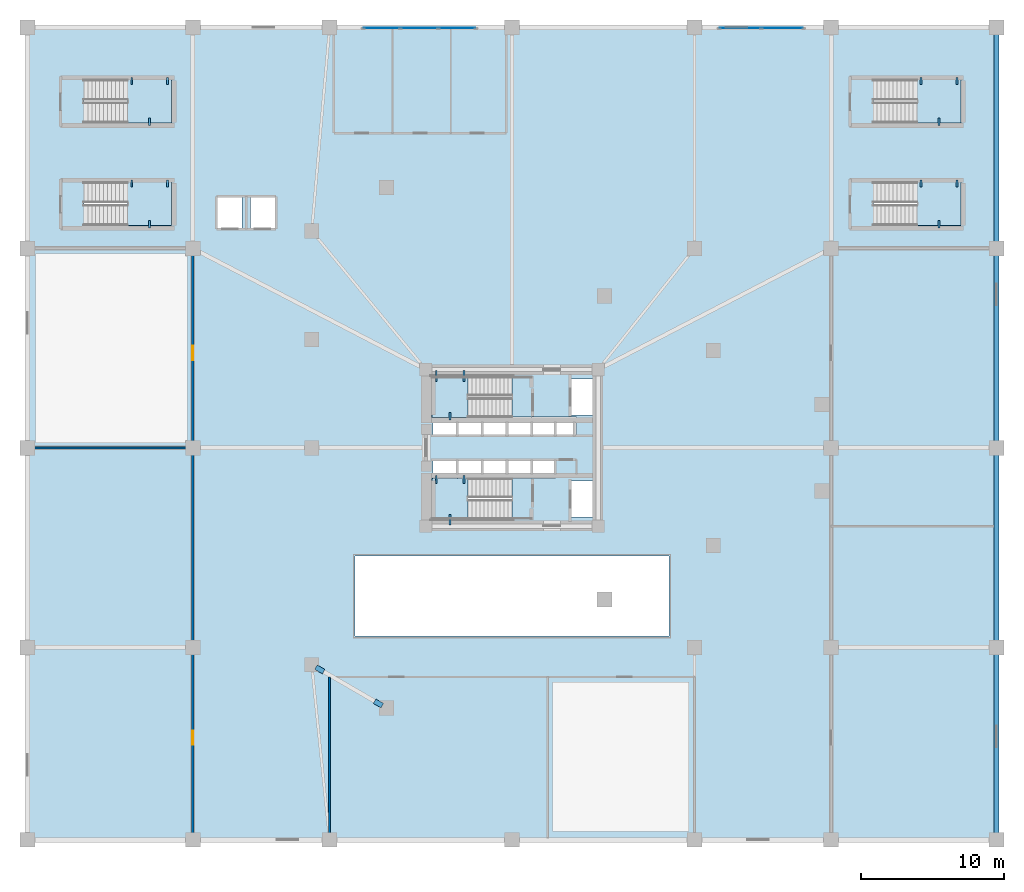
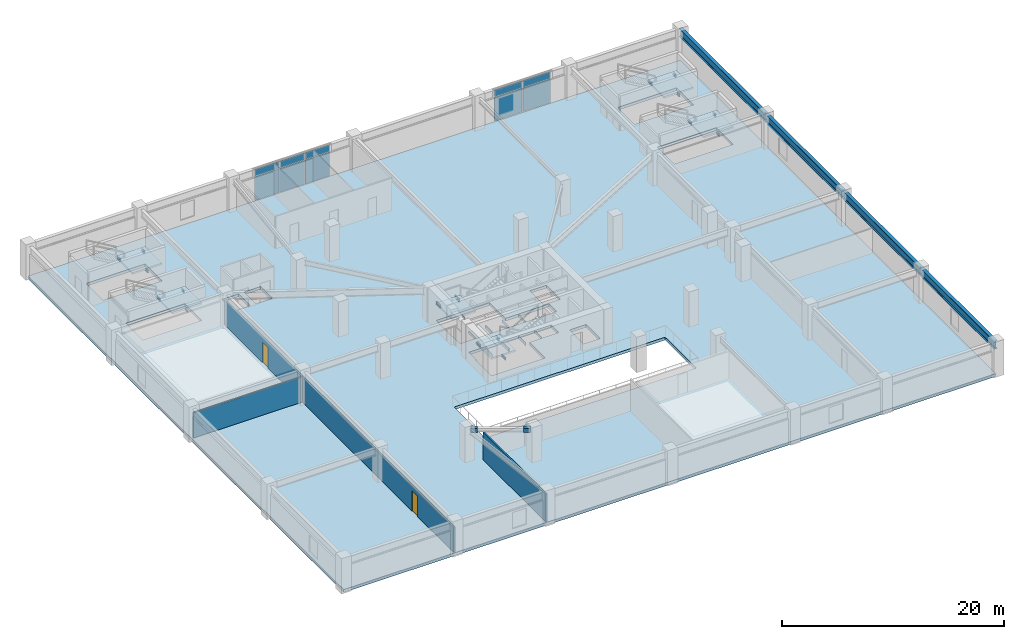
# One storey, part 3 of 15: 22 beams, 12 plates, 7 slabs, 3 walls, 2 doors, 2 openings, 8 elements without a shape of their own.
"""IFC4 building model written with IfcOpenShell, lengths in metres."""

from ifc_helpers import new_model, si_unit, direction, frame, frame_2d, origin, origin_2d, place, context, subcontext, project, spatial, polyline, rectangle, i_section, outline, extrude, source, transform, mapped, material, layer, layer_set, material_profile, profile_set, type_object, element, fill, aggregate, save


model = new_model("IFC4")

# Units and contexts
model_context = context("Model", 3, precision=1e-05, world=origin(), true_north=direction((0.0, 1.0)))
body_context = subcontext(model_context, "Body", "Model", "MODEL_VIEW")
ifc_project = project(units=[si_unit("LENGTHUNIT", "METRE"), si_unit("AREAUNIT", "SQUARE_METRE"), si_unit("VOLUMEUNIT", "CUBIC_METRE"), si_unit("PLANEANGLEUNIT", "RADIAN"), si_unit("MASSUNIT", "GRAM", prefix="KILO")], contexts=[model_context])

# Site, building, storey
site_placement = place(None, origin())
site = spatial("IfcSite", under=ifc_project, at=site_placement, CompositionType="ELEMENT")
building_placement = place(site_placement, origin())
building = spatial("IfcBuilding", under=site, at=building_placement, Name="Yunling Apex Tower", CompositionType="ELEMENT")
storey_placement = place(building_placement, frame((0.0, 0.0, 8.39990234375)))
storey = spatial("IfcBuildingStorey", under=building, at=storey_placement, Name="L03", CompositionType="ELEMENT", Elevation=8.39990234375)

# Beams
ifc_material_1 = material(Name="Steel Q355B", Category="steel")
ifc_material_profile_1 = material_profile(ifc_material_1, i_section(OverallWidth=0.125, OverallDepth=0.25, WebThickness=0.006103515625, FlangeThickness=0.009033203125, FilletRadius=0.011962890625, at=origin_2d()))
ifc_profile_set_1 = profile_set([ifc_material_profile_1], Name="Steel Q355B")
beam_type_1 = type_object("IfcBeamType", Name="BL-LNT-1", PredefinedType="LINTEL", material=ifc_profile_set_1)
shared_shape_1 = source(origin(), body_context, "Body", "SweptSolid", [
    extrude(i_section(OverallWidth=0.125, OverallDepth=0.25, WebThickness=0.006103515625, FlangeThickness=0.009033203125, FilletRadius=0.011962890625, at=origin_2d()), origin(), (0.0, 0.0, 1.0), 0.760009765625),
])
for number, where, z_axis, x_axis, name in (
    (1, (-5.320068359375, 5.419921875, 1.630126953125), (0.0, -1.0, 0.0), (1.0, 0.0, 0.0), "L03 ST-1 Landing Bearing Corbel 1-1"),
    (2, (-3.3701171875, 5.419921875, 1.630126953125), (0.0, -1.0, 0.0), (1.0, 0.0, 0.0), "L03 ST-1 Landing Bearing Corbel 1-2"),
    (3, (-4.344970703125, -5.419921875, 1.630126953125), (0.0, 1.0, 0.0), (-1.0, 0.0, 0.0), "L03 ST-2 Landing Bearing Corbel 1-3"),
):
    element("IfcBeam", number, at=place(storey_placement, frame(where, z_axis=z_axis, x_axis=x_axis)), inside=storey, type_object=beam_type_1, Name=name, PredefinedType="LINTEL", context=body_context, shape_type="MappedRepresentation", body=[
        mapped(shared_shape_1, transform((0.0, 0.0, 0.0), scale=1.0)),
    ])
shared_shape_2 = source(origin(), body_context, "Body", "SweptSolid", [
    extrude(i_section(OverallWidth=0.125, OverallDepth=0.25, WebThickness=0.006103515625, FlangeThickness=0.009033203125, FilletRadius=0.011962890625, at=origin_2d()), origin(), (0.0, 0.0, 1.0), 0.550048828125),
])
for number, where, z_axis, x_axis, name in (
    (4, (-4.344970703125, 1.93994140625, 1.630126953125), (0.0, 1.0, 0.0), (-1.0, 0.0, 0.0), "L03 ST-1 Landing Bearing Corbel 1-3"),
    (5, (-5.320068359375, -1.93994140625, 1.630126953125), (0.0, -1.0, 0.0), (1.0, 0.0, 0.0), "L03 ST-2 Landing Bearing Corbel 1-1"),
    (6, (-3.3701171875, -1.93994140625, 1.630126953125), (0.0, -1.0, 0.0), (1.0, 0.0, 0.0), "L03 ST-2 Landing Bearing Corbel 1-2"),
):
    element("IfcBeam", number, at=place(storey_placement, frame(where, z_axis=z_axis, x_axis=x_axis)), inside=storey, type_object=beam_type_1, Name=name, PredefinedType="LINTEL", context=body_context, shape_type="MappedRepresentation", body=[
        mapped(shared_shape_2, transform((0.0, 0.0, 0.0), scale=1.0)),
    ])
shared_shape_3 = source(origin(), body_context, "Body", "SweptSolid", [
    extrude(i_section(OverallWidth=0.125, OverallDepth=0.25, WebThickness=0.006103515625, FlangeThickness=0.009033203125, FilletRadius=0.011962890625, at=origin_2d()), origin(), (0.0, 0.0, 1.0), 0.47998046875),
])
for number, where, z_axis, x_axis, name in (
    (7, (-26.68994140625, 18.780029296875, 1.630126953125), (0.0, -1.0, 0.0), (1.0, 0.0, 0.0), "L03 ST-P1 Landing Bearing Corbel 1-1"),
    (8, (-24.179931640625, 18.780029296875, 1.630126953125), (0.0, -1.0, 0.0), (1.0, 0.0, 0.0), "L03 ST-P1 Landing Bearing Corbel 1-2"),
    (9, (28.7099609375, 18.780029296875, 1.630126953125), (0.0, -1.0, 0.0), (1.0, 0.0, 0.0), "L03 ST-P2 Landing Bearing Corbel 1-1"),
    (10, (31.219970703125, 18.780029296875, 1.630126953125), (0.0, -1.0, 0.0), (1.0, 0.0, 0.0), "L03 ST-P2 Landing Bearing Corbel 1-2"),
    (11, (-26.68994140625, 25.97998046875, 1.630126953125), (0.0, -1.0, 0.0), (1.0, 0.0, 0.0), "L03 ST-G1 Landing Bearing Corbel 1-1"),
    (12, (-24.179931640625, 25.97998046875, 1.630126953125), (0.0, -1.0, 0.0), (1.0, 0.0, 0.0), "L03 ST-G1 Landing Bearing Corbel 1-2"),
    (13, (28.7099609375, 25.97998046875, 1.630126953125), (0.0, -1.0, 0.0), (1.0, 0.0, 0.0), "L03 ST-G2 Landing Bearing Corbel 1-1"),
    (14, (31.219970703125, 25.97998046875, 1.630126953125), (0.0, -1.0, 0.0), (1.0, 0.0, 0.0), "L03 ST-G2 Landing Bearing Corbel 1-2"),
):
    element("IfcBeam", number, at=place(storey_placement, frame(where, z_axis=z_axis, x_axis=x_axis)), inside=storey, type_object=beam_type_1, Name=name, PredefinedType="LINTEL", context=body_context, shape_type="MappedRepresentation", body=[
        mapped(shared_shape_3, transform((0.0, 0.0, 0.0), scale=1.0)),
    ])
shared_shape_4 = source(origin(), body_context, "Body", "SweptSolid", [
    extrude(i_section(OverallWidth=0.125, OverallDepth=0.25, WebThickness=0.006103515625, FlangeThickness=0.009033203125, FilletRadius=0.011962890625, at=origin_2d()), origin(), (0.0, 0.0, 1.0), 0.530029296875),
])
for number, where, z_axis, x_axis, name in (
    (15, (-25.43505859375, 15.419921875, 1.630126953125), (0.0, 1.0, 0.0), (-1.0, 0.0, 0.0), "L03 ST-P1 Landing Bearing Corbel 1-3"),
    (16, (29.965087890625, 15.419921875, 1.630126953125), (0.0, 1.0, 0.0), (-1.0, 0.0, 0.0), "L03 ST-P2 Landing Bearing Corbel 1-3"),
):
    element("IfcBeam", number, at=place(storey_placement, frame(where, z_axis=z_axis, x_axis=x_axis)), inside=storey, type_object=beam_type_1, Name=name, PredefinedType="LINTEL", context=body_context, shape_type="MappedRepresentation", body=[
        mapped(shared_shape_4, transform((0.0, 0.0, 0.0), scale=1.0)),
    ])
shared_shape_5 = source(origin(), body_context, "Body", "SweptSolid", [
    extrude(i_section(OverallWidth=0.125, OverallDepth=0.25, WebThickness=0.006103515625, FlangeThickness=0.009033203125, FilletRadius=0.011962890625, at=origin_2d()), origin(), (0.0, 0.0, 1.0), 0.52978515625),
])
for number, where, z_axis, x_axis, name in (
    (17, (-25.43505859375, 22.6201171875, 1.630126953125), (0.0, 1.0, 0.0), (-1.0, 0.0, 0.0), "L03 ST-G1 Landing Bearing Corbel 1-3"),
    (18, (29.965087890625, 22.6201171875, 1.630126953125), (0.0, 1.0, 0.0), (-1.0, 0.0, 0.0), "L03 ST-G2 Landing Bearing Corbel 1-3"),
):
    element("IfcBeam", number, at=place(storey_placement, frame(where, z_axis=z_axis, x_axis=x_axis)), inside=storey, type_object=beam_type_1, Name=name, PredefinedType="LINTEL", context=body_context, shape_type="MappedRepresentation", body=[
        mapped(shared_shape_5, transform((0.0, 0.0, 0.0), scale=1.0)),
    ])
ifc_material_profile_2 = material_profile(ifc_material_1, i_section(OverallWidth=0.35009765625, OverallDepth=0.89990234375, WebThickness=0.01806640625, FlangeThickness=0.028076171875, FilletRadius=0.02392578125, at=origin_2d()))
ifc_profile_set_2 = profile_set([ifc_material_profile_2], Name="Steel Q355B")
beam_type_2 = type_object("IfcBeamType", Name="BG-PRI-1", PredefinedType="USERDEFINED", material=ifc_profile_set_2)
shared_shape_6 = source(origin(), body_context, "Body", "SweptSolid", [
    extrude(i_section(OverallWidth=0.35009765625, OverallDepth=0.89990234375, WebThickness=0.01806640625, FlangeThickness=0.028076171875, FilletRadius=0.02392578125, at=origin_2d()), origin(), (0.0, 0.0, 1.0), 13.419921875),
])
beam_1_placement = place(storey_placement, frame((34.0, -27.4599609375, 3.14013671875), z_axis=(0.0, 1.0, 0.0), x_axis=(-1.0, 0.0, 0.0)))
element("IfcBeam", 19, at=beam_1_placement, inside=storey, type_object=beam_type_2, Name="L03 Podium Side Girder 17", ObjectType="GIRDER", PredefinedType="USERDEFINED", context=body_context, shape_type="MappedRepresentation", body=[
    mapped(shared_shape_6, transform((0.0, 0.0, 0.0), scale=1.0)),
])
shared_shape_7 = source(origin(), body_context, "Body", "SweptSolid", [
    extrude(i_section(OverallWidth=0.35009765625, OverallDepth=0.89990234375, WebThickness=0.01806640625, FlangeThickness=0.028076171875, FilletRadius=0.02392578125, at=origin_2d()), origin(), (0.0, 0.0, 1.0), 13.919921875),
])
for number, where, z_axis, x_axis, name in (
    (20, (34.0, -13.9599609375, 3.14013671875), (0.0, 1.0, 0.0), (-1.0, 0.0, 0.0), "L03 Podium Side Girder 18"),
    (21, (34.0, 0.0400390625, 3.14013671875), (0.0, 1.0, 0.0), (-1.0, 0.0, 0.0), "L03 Podium Side Girder 19"),
):
    element("IfcBeam", number, at=place(storey_placement, frame(where, z_axis=z_axis, x_axis=x_axis)), inside=storey, type_object=beam_type_2, Name=name, ObjectType="GIRDER", PredefinedType="USERDEFINED", context=body_context, shape_type="MappedRepresentation", body=[
        mapped(shared_shape_7, transform((0.0, 0.0, 0.0), scale=1.0)),
    ])
shared_shape_8 = source(origin(), body_context, "Body", "SweptSolid", [
    extrude(i_section(OverallWidth=0.35009765625, OverallDepth=0.89990234375, WebThickness=0.01806640625, FlangeThickness=0.028076171875, FilletRadius=0.02392578125, at=origin_2d()), origin(), (0.0, 0.0, 1.0), 15.419921875),
])
beam_2_placement = place(storey_placement, frame((34.0, 14.0400390625, 3.14013671875), z_axis=(0.0, 1.0, 0.0), x_axis=(-1.0, 0.0, 0.0)))
element("IfcBeam", 22, at=beam_2_placement, inside=storey, type_object=beam_type_2, Name="L03 Podium Side Girder 20", ObjectType="GIRDER", PredefinedType="USERDEFINED", context=body_context, shape_type="MappedRepresentation", body=[
    mapped(shared_shape_8, transform((0.0, 0.0, 0.0), scale=1.0)),
])

# Stair, slab
ifc_material_2 = material(Name="Concrete C40", Category="concrete")
stair_type_1 = type_object("IfcStairType", Name="ST-TWR-1", PredefinedType="HALF_TURN_STAIR", material=ifc_material_2)
stair_1_placement = place(storey_placement, origin())
stair_1 = element("IfcStair", 23, at=stair_1_placement, inside=storey, type_object=stair_type_1, Name="L03 North Core Smokeproof Exit Stair ST-1", PredefinedType="HALF_TURN_STAIR")
ifc_layer_1 = layer(ifc_material_2, 0.195068359375)
ifc_layer_set_1 = layer_set([ifc_layer_1], Name="Concrete C40")
slab_type_1 = type_object("IfcSlabType", Name="SL-LND-1", PredefinedType="LANDING", material=ifc_layer_set_1)
slab_1_placement = place(storey_placement, frame((0.0, 0.0, 1.755126953125)))
slab_1 = element("IfcSlab", 24, at=slab_1_placement, type_object=slab_type_1, Name="ST-1 landing 1", PredefinedType="LANDING", context=body_context, shape_type="SweptSolid", body=[
    extrude(outline(polyline([(-3.090087890625, 5.010009765625), (-5.60009765625, 5.010009765625), (-5.60009765625, 2.139892578125), (-3.090087890625, 2.139892578125), (-3.090087890625, 5.010009765625)])), origin(), (0.0, 0.0, 1.0), 0.195068359375),
])
aggregate(stair_1, [slab_1])

stair_2_placement = place(storey_placement, origin())
stair_2 = element("IfcStair", 25, at=stair_2_placement, inside=storey, type_object=stair_type_1, Name="L03 South Core Smokeproof Exit Stair ST-2", PredefinedType="HALF_TURN_STAIR")
slab_2_placement = place(storey_placement, frame((0.0, 0.0, 1.755126953125)))
slab_2 = element("IfcSlab", 26, at=slab_2_placement, type_object=slab_type_1, Name="ST-2 landing 1", PredefinedType="LANDING", context=body_context, shape_type="SweptSolid", body=[
    extrude(outline(polyline([(-3.090087890625, -2.139892578125), (-5.60009765625, -2.139892578125), (-5.60009765625, -5.010009765625), (-3.090087890625, -5.010009765625), (-3.090087890625, -2.139892578125)])), origin(), (0.0, 0.0, 1.0), 0.195068359375),
])
aggregate(stair_2, [slab_2])

stair_type_2 = type_object("IfcStairType", Name="ST-POD-1", PredefinedType="HALF_TURN_STAIR", material=ifc_material_2)
stair_3_placement = place(storey_placement, origin())
stair_3 = element("IfcStair", 27, at=stair_3_placement, inside=storey, type_object=stair_type_2, Name="L03 West Podium Smokeproof Stair ST-P1", PredefinedType="HALF_TURN_STAIR")
slab_3_placement = place(storey_placement, frame((0.0, 0.0, 1.755126953125)))
slab_3 = element("IfcSlab", 28, at=slab_3_placement, type_object=slab_type_1, Name="ST-P1 landing 1", PredefinedType="LANDING", context=body_context, shape_type="SweptSolid", body=[
    extrude(outline(polyline([(-26.969970703125, 15.60009765625), (-23.89990234375, 15.60009765625), (-23.89990234375, 18.64990234375), (-26.969970703125, 18.64990234375), (-26.969970703125, 15.60009765625)])), origin(), (0.0, 0.0, 1.0), 0.195068359375),
])
aggregate(stair_3, [slab_3])

stair_4_placement = place(storey_placement, origin())
stair_4 = element("IfcStair", 29, at=stair_4_placement, inside=storey, type_object=stair_type_2, Name="L03 East Podium Smokeproof Stair ST-P2", PredefinedType="HALF_TURN_STAIR")
slab_4_placement = place(storey_placement, frame((0.0, 0.0, 1.755126953125)))
slab_4 = element("IfcSlab", 30, at=slab_4_placement, type_object=slab_type_1, Name="ST-P2 landing 1", PredefinedType="LANDING", context=body_context, shape_type="SweptSolid", body=[
    extrude(outline(polyline([(28.429931640625, 15.60009765625), (31.5, 15.60009765625), (31.5, 18.64990234375), (28.429931640625, 18.64990234375), (28.429931640625, 15.60009765625)])), origin(), (0.0, 0.0, 1.0), 0.195068359375),
])
aggregate(stair_4, [slab_4])

stair_type_3 = type_object("IfcStairType", Name="ST-GDN-1", PredefinedType="STRAIGHT_RUN_STAIR", material=ifc_material_2)
stair_5_placement = place(storey_placement, origin())
stair_5 = element("IfcStair", 31, at=stair_5_placement, inside=storey, type_object=stair_type_3, Name="L03 West Plaza-to-Garden External Stair ST-G1", PredefinedType="HALF_TURN_STAIR")
slab_5_placement = place(storey_placement, frame((0.0, 0.0, 1.755126953125)))
slab_5 = element("IfcSlab", 32, at=slab_5_placement, type_object=slab_type_1, Name="ST-G1 landing 1", PredefinedType="LANDING", context=body_context, shape_type="SweptSolid", body=[
    extrude(outline(polyline([(-26.969970703125, 22.800048828125), (-23.89990234375, 22.800048828125), (-23.89990234375, 25.85009765625), (-26.969970703125, 25.85009765625), (-26.969970703125, 22.800048828125)])), origin(), (0.0, 0.0, 1.0), 0.195068359375),
])
aggregate(stair_5, [slab_5])

stair_6_placement = place(storey_placement, origin())
stair_6 = element("IfcStair", 33, at=stair_6_placement, inside=storey, type_object=stair_type_3, Name="L03 East Plaza-to-Garden External Stair ST-G2", PredefinedType="HALF_TURN_STAIR")
slab_6_placement = place(storey_placement, frame((0.0, 0.0, 1.755126953125)))
slab_6 = element("IfcSlab", 34, at=slab_6_placement, type_object=slab_type_1, Name="ST-G2 landing 1", PredefinedType="LANDING", context=body_context, shape_type="SweptSolid", body=[
    extrude(outline(polyline([(28.429931640625, 22.800048828125), (31.5, 22.800048828125), (31.5, 25.85009765625), (28.429931640625, 25.85009765625), (28.429931640625, 22.800048828125)])), origin(), (0.0, 0.0, 1.0), 0.195068359375),
])
aggregate(stair_6, [slab_6])

# Slab
ifc_layer_2 = layer(ifc_material_2, 0.31005859375)
ifc_layer_set_2 = layer_set([ifc_layer_2], Name="Concrete C40")
slab_type_2 = type_object("IfcSlabType", Name="SL-POD-2", PredefinedType="FLOOR", material=ifc_layer_set_2)
slab_7_placement = place(storey_placement, frame((0.0, 0.0, -0.309814453125)))
element("IfcSlab", 35, at=slab_7_placement, inside=storey, type_object=slab_type_2, Name="L03 Structural Floor Slab", PredefinedType="FLOOR", context=body_context, shape_type="SweptSolid", body=[
    extrude(outline(polyline([(-34.0, -27.5), (34.0, -27.5), (34.0, 29.5), (-34.0, 29.5), (-34.0, -27.5)]), holes=[polyline([(31.5, 15.60009765625), (25.35009765625, 15.60009765625), (25.35009765625, 18.64990234375), (31.5, 18.64990234375), (31.5, 15.60009765625)]), polyline([(31.5, 22.800048828125), (25.35009765625, 22.800048828125), (25.35009765625, 25.85009765625), (31.5, 25.85009765625), (31.5, 22.800048828125)]), polyline([(11.0, -7.60009765625), (11.0, -13.199951171875), (-11.0, -13.199951171875), (-11.0, -7.60009765625), (11.0, -7.60009765625)]), polyline([(5.81005859375, -2.320068359375), (5.81005859375, -4.840087890625), (4.090087890625, -4.840087890625), (4.090087890625, -2.320068359375), (5.81005859375, -2.320068359375)]), polyline([(5.81005859375, 4.840087890625), (5.81005859375, 2.320068359375), (4.090087890625, 2.320068359375), (4.090087890625, 4.840087890625), (5.81005859375, 4.840087890625)]), polyline([(4.534912109375, 0.794921875), (1.364990234375, 0.794921875), (1.364990234375, 2.1650390625), (4.534912109375, 2.1650390625), (4.534912109375, 0.794921875)]), polyline([(3.034912109375, -2.1650390625), (1.364990234375, -2.1650390625), (1.364990234375, -0.794921875), (3.034912109375, -0.794921875), (3.034912109375, -2.1650390625)]), polyline([(-5.60009765625, 5.010009765625), (-0.010009765625, 5.010009765625), (-0.010009765625, 2.1650390625), (1.3349609375, 2.1650390625), (1.3349609375, 0.794921875), (-0.3349609375, 0.794921875), (-0.3349609375, 2.139892578125), (-0.364990234375, 2.139892578125), (-0.364990234375, 0.794921875), (-2.034912109375, 0.794921875), (-2.034912109375, 2.139892578125), (-2.1650390625, 2.139892578125), (-2.1650390625, 0.794921875), (-3.8349609375, 0.794921875), (-3.8349609375, 2.139892578125), (-3.864990234375, 2.139892578125), (-3.864990234375, 0.794921875), (-5.534912109375, 0.794921875), (-5.534912109375, 2.139892578125), (-5.60009765625, 2.139892578125), (-5.60009765625, 5.010009765625)]), polyline([(-3.864990234375, -0.794921875), (-3.864990234375, -2.139892578125), (-3.8349609375, -2.139892578125), (-3.8349609375, -0.794921875), (-2.1650390625, -0.794921875), (-2.1650390625, -2.139892578125), (-2.034912109375, -2.139892578125), (-2.034912109375, -0.794921875), (-0.364990234375, -0.794921875), (-0.364990234375, -2.139892578125), (-0.3349609375, -2.139892578125), (-0.3349609375, -0.794921875), (1.3349609375, -0.794921875), (1.3349609375, -2.1650390625), (-0.010009765625, -2.1650390625), (-0.010009765625, -5.010009765625), (-5.60009765625, -5.010009765625), (-5.60009765625, -2.139892578125), (-5.534912109375, -2.139892578125), (-5.534912109375, -0.794921875), (-3.864990234375, -0.794921875)]), polyline([(-16.639892578125, 17.56005859375), (-16.639892578125, 15.43994140625), (-18.360107421875, 15.43994140625), (-18.360107421875, 17.56005859375), (-16.639892578125, 17.56005859375)]), polyline([(-18.93994140625, 15.43994140625), (-20.659912109375, 15.43994140625), (-20.659912109375, 17.56005859375), (-18.93994140625, 17.56005859375), (-18.93994140625, 15.43994140625)]), polyline([(-23.89990234375, 15.60009765625), (-30.050048828125, 15.60009765625), (-30.050048828125, 18.64990234375), (-23.89990234375, 18.64990234375), (-23.89990234375, 15.60009765625)]), polyline([(-23.89990234375, 22.800048828125), (-30.050048828125, 22.800048828125), (-30.050048828125, 25.85009765625), (-23.89990234375, 25.85009765625), (-23.89990234375, 22.800048828125)])]), origin(), (0.0, 0.0, 1.0), 0.309814453125),
])

# Plates
ifc_layer_3 = layer(ifc_material_1, 0.031982421875)
ifc_layer_set_3 = layer_set([ifc_layer_3], Name="Steel Q355B")
plate_type_1 = type_object("IfcPlateType", Name="NP-GUS-2", PredefinedType="USERDEFINED", material=ifc_layer_set_3)
shared_shape_9 = source(origin(), body_context, "Body", "SweptSolid", [
    extrude(rectangle(XDim=0.6201171875, YDim=0.360107421875, at=origin_2d()), origin(), (0.0, 0.0, 1.0), 0.47998046875),
])
for number, where, z_axis, x_axis, name in (
    (36, (-13.48779296875, -15.546142578125, 3.0), (0.0, 0.0, 1.0), (0.864976307593, -0.501812701416, 0.0), "L03 Atrium Tie Strut End Gusset Plate 436"),
    (37, (-9.372314453125, -17.933837890625, 3.0), (0.0, 0.0, 1.0), (0.864976307593, -0.501812701416, 0.0), "L03 Atrium Tie Strut End Gusset Plate 437"),
):
    element("IfcPlate", number, at=place(storey_placement, frame(where, z_axis=z_axis, x_axis=x_axis)), inside=storey, type_object=plate_type_1, Name=name, ObjectType="GUSSET_PLATE", PredefinedType="USERDEFINED", context=body_context, shape_type="MappedRepresentation", body=[
        mapped(shared_shape_9, transform((0.0, 0.0, 0.0), scale=1.0)),
    ])

# Curtain wall, plates
ifc_material_3 = material(Name="Bronze anodised aluminium", Category="aluminium")
ifc_layer_4 = layer(ifc_material_3, 0.280029296875)
ifc_layer_set_4 = layer_set([ifc_layer_4], Name="Bronze anodised aluminium")
curtain_wall_type = type_object("IfcCurtainWallType", Name="CW-SYS-1", PredefinedType="NOTDEFINED", material=ifc_layer_set_4)
curtain_wall_1_placement = place(storey_placement, origin())
curtain_wall_1 = element("IfcCurtainWall", 38, at=curtain_wall_1_placement, inside=storey, type_object=curtain_wall_type, Name="CW-POD-L03-1", PredefinedType="NOTDEFINED")
ifc_material_4 = material(Name="Bronze tinted low-E glass", Category="glass")
ifc_layer_5 = layer(ifc_material_4, 0.035888671875)
ifc_layer_set_5 = layer_set([ifc_layer_5], Name="Bronze tinted low-E glass")
plate_type_2 = type_object("IfcPlateType", Name="CW-PNL-1", PredefinedType="CURTAIN_PANEL", material=ifc_layer_set_5)
shared_shape_10 = source(origin(), body_context, "Body", "SweptSolid", [
    extrude(rectangle(XDim=2.548583984375, YDim=0.035888671875, at=origin_2d()), origin(), (0.0, 0.0, 1.0), 0.73193359375),
])
plate_1_placement = place(storey_placement, frame((-9.144287109375, 29.449951171875, 2.776611328125), z_axis=(0.0, 0.0, 1.0), x_axis=(1.0, 0.0, 0.0)))
plate_1 = element("IfcPlate", 39, at=plate_1_placement, type_object=plate_type_2, Name="CW-SYS-1 panel 1.2", PredefinedType="CURTAIN_PANEL", context=body_context, shape_type="MappedRepresentation", body=[
    mapped(shared_shape_10, transform((0.0, 0.0, 0.0), scale=1.0)),
])
plate_2_placement = place(storey_placement, frame((-3.855712890625, 29.449951171875, 2.776611328125), z_axis=(0.0, 0.0, 1.0), x_axis=(1.0, 0.0, 0.0)))
plate_2 = element("IfcPlate", 40, at=plate_2_placement, type_object=plate_type_2, Name="CW-SYS-1 panel 3.2", PredefinedType="CURTAIN_PANEL", context=body_context, shape_type="MappedRepresentation", body=[
    mapped(shared_shape_10, transform((0.0, 0.0, 0.0), scale=1.0)),
])
shared_shape_11 = source(origin(), body_context, "Body", "SweptSolid", [
    extrude(rectangle(XDim=2.59375, YDim=0.035888671875, at=origin_2d()), origin(), (0.0, 0.0, 1.0), 0.73193359375),
])
plate_3_placement = place(storey_placement, frame((-6.5, 29.449951171875, 2.776611328125), z_axis=(0.0, 0.0, 1.0), x_axis=(1.0, 0.0, 0.0)))
plate_3 = element("IfcPlate", 41, at=plate_3_placement, type_object=plate_type_2, Name="CW-SYS-1 panel 2.2", PredefinedType="CURTAIN_PANEL", context=body_context, shape_type="MappedRepresentation", body=[
    mapped(shared_shape_11, transform((0.0, 0.0, 0.0), scale=1.0)),
])

curtain_wall_2_placement = place(storey_placement, origin())
curtain_wall_2 = element("IfcCurtainWall", 42, at=curtain_wall_2_placement, inside=storey, type_object=curtain_wall_type, Name="CW-POD-L03-2", PredefinedType="NOTDEFINED")
shared_shape_12 = source(origin(), body_context, "Body", "SweptSolid", [
    extrude(rectangle(XDim=2.882080078125, YDim=0.035888671875, at=origin_2d()), origin(), (0.0, 0.0, 1.0), 0.73193359375),
])
plate_4_placement = place(storey_placement, frame((16.0224609375, 29.449951171875, 2.776611328125), z_axis=(0.0, 0.0, 1.0), x_axis=(1.0, 0.0, 0.0)))
plate_4 = element("IfcPlate", 43, at=plate_4_placement, type_object=plate_type_2, Name="CW-SYS-1 panel 1.2", PredefinedType="CURTAIN_PANEL", context=body_context, shape_type="MappedRepresentation", body=[
    mapped(shared_shape_12, transform((0.0, 0.0, 0.0), scale=1.0)),
])
plate_5_placement = place(storey_placement, frame((18.9775390625, 29.449951171875, 2.776611328125), z_axis=(0.0, 0.0, 1.0), x_axis=(1.0, 0.0, 0.0)))
plate_5 = element("IfcPlate", 44, at=plate_5_placement, type_object=plate_type_2, Name="CW-SYS-1 panel 2.2", PredefinedType="CURTAIN_PANEL", context=body_context, shape_type="MappedRepresentation", body=[
    mapped(shared_shape_12, transform((0.0, 0.0, 0.0), scale=1.0)),
])

# Plate
shared_shape_13 = source(origin(), body_context, "Body", "SweptSolid", [
    extrude(rectangle(XDim=2.548583984375, YDim=0.035888671875, at=origin_2d()), origin(), (0.0, 0.0, 1.0), 2.6220703125),
])
plate_6_placement = place(storey_placement, frame((-9.144287109375, 29.449951171875, 0.08154296875), z_axis=(0.0, 0.0, 1.0), x_axis=(1.0, 0.0, 0.0)))
plate_6 = element("IfcPlate", 45, at=plate_6_placement, type_object=plate_type_2, Name="CW-SYS-1 panel 1.1", PredefinedType="CURTAIN_PANEL", context=body_context, shape_type="MappedRepresentation", body=[
    mapped(shared_shape_13, transform((0.0, 0.0, 0.0), scale=1.0)),
])

plate_7_placement = place(storey_placement, frame((-3.855712890625, 29.449951171875, 0.08154296875), z_axis=(0.0, 0.0, 1.0), x_axis=(1.0, 0.0, 0.0)))
plate_7 = element("IfcPlate", 46, at=plate_7_placement, type_object=plate_type_2, Name="CW-SYS-1 panel 3.1", PredefinedType="CURTAIN_PANEL", context=body_context, shape_type="MappedRepresentation", body=[
    mapped(shared_shape_13, transform((0.0, 0.0, 0.0), scale=1.0)),
])

shared_shape_14 = source(origin(), body_context, "Body", "SweptSolid", [
    extrude(rectangle(XDim=2.59375, YDim=0.035888671875, at=origin_2d()), origin(), (0.0, 0.0, 1.0), 2.6220703125),
])
plate_8_placement = place(storey_placement, frame((-6.5, 29.449951171875, 0.08154296875), z_axis=(0.0, 0.0, 1.0), x_axis=(1.0, 0.0, 0.0)))
plate_8 = element("IfcPlate", 47, at=plate_8_placement, type_object=plate_type_2, Name="CW-SYS-1 panel 2.1", PredefinedType="CURTAIN_PANEL", context=body_context, shape_type="MappedRepresentation", body=[
    mapped(shared_shape_14, transform((0.0, 0.0, 0.0), scale=1.0)),
])

aggregate(curtain_wall_1, [plate_6, plate_1, plate_8, plate_3, plate_7, plate_2])

shared_shape_15 = source(origin(), body_context, "Body", "SweptSolid", [
    extrude(rectangle(XDim=2.882080078125, YDim=0.035888671875, at=origin_2d()), origin(), (0.0, 0.0, 1.0), 2.6220703125),
])
plate_9_placement = place(storey_placement, frame((16.0224609375, 29.449951171875, 0.08154296875), z_axis=(0.0, 0.0, 1.0), x_axis=(1.0, 0.0, 0.0)))
plate_9 = element("IfcPlate", 48, at=plate_9_placement, type_object=plate_type_2, Name="CW-SYS-1 panel 1.1", PredefinedType="CURTAIN_PANEL", context=body_context, shape_type="MappedRepresentation", body=[
    mapped(shared_shape_15, transform((0.0, 0.0, 0.0), scale=1.0)),
])

plate_10_placement = place(storey_placement, frame((18.9775390625, 29.449951171875, 0.08154296875), z_axis=(0.0, 0.0, 1.0), x_axis=(1.0, 0.0, 0.0)))
plate_10 = element("IfcPlate", 49, at=plate_10_placement, type_object=plate_type_2, Name="CW-SYS-1 panel 2.1", PredefinedType="CURTAIN_PANEL", context=body_context, shape_type="MappedRepresentation", body=[
    mapped(shared_shape_15, transform((0.0, 0.0, 0.0), scale=1.0)),
])

aggregate(curtain_wall_2, [plate_9, plate_4, plate_10, plate_5])

# Wall, openings, doors
ifc_material_5 = material(Name="Gypsum board acoustic partition")
ifc_layer_6 = layer(ifc_material_5, 0.159912109375)
ifc_layer_set_6 = layer_set([ifc_layer_6], Name="Gypsum board acoustic partition")
wall_type_1 = type_object("IfcWallType", Name="WL-PRT-1", PredefinedType="PARTITIONING", material=ifc_layer_set_6)
wall_1_placement = place(storey_placement, frame((-22.39990234375, -27.35009765625, 0.0), z_axis=(0.0, 0.0, 1.0), x_axis=(0.0, 1.0, 0.0)))
wall_1 = element("IfcWall", 50, at=wall_1_placement, inside=storey, type_object=wall_type_1, Name="WL-L03-WE", PredefinedType="PARTITIONING", context=body_context, shape_type="SweptSolid", body=[
    extrude(rectangle(XDim=41.35009765625, YDim=0.159912109375, at=frame_2d((20.675048828125, 0.0))), origin(), (0.0, 0.0, 1.0), 2.775146484375),
])
opening_1_placement = place(wall_1_placement, frame((6.5, 0.0, 0.0)))
opening_1 = element("IfcOpeningElement", 51, at=opening_1_placement, cuts=wall_1, Name="Opening DR-OFF-1", PredefinedType="OPENING", context=body_context, shape_type="SweptSolid", body=[
    extrude(rectangle(XDim=1.0, YDim=2.25, at=frame_2d((0.5, 1.125))), frame((0.0, 0.08984375, 0.0), z_axis=(0.0, -1.0, 0.0), x_axis=(1.0, 0.0, 0.0)), (0.0, 0.0, 1.0), 0.179931640625),
])
opening_2_placement = place(wall_1_placement, frame((33.5, 0.0, 0.0)))
opening_2 = element("IfcOpeningElement", 52, at=opening_2_placement, cuts=wall_1, Name="Opening DR-OFF-1", PredefinedType="OPENING", context=body_context, shape_type="SweptSolid", body=[
    extrude(rectangle(XDim=1.0, YDim=2.25, at=frame_2d((0.5, 1.125))), frame((0.0, 0.08984375, 0.0), z_axis=(0.0, -1.0, 0.0), x_axis=(1.0, 0.0, 0.0)), (0.0, 0.0, 1.0), 0.179931640625),
])
door_type = type_object("IfcDoorType", Name="DR-OFF-1", OperationType="NOTDEFINED", PredefinedType="DOOR", material=ifc_material_3)
door_1_placement = place(opening_1_placement, origin())
door_1 = element("IfcDoor", 53, at=door_1_placement, inside=storey, type_object=door_type, Name="L03 Contemporary Exhibition Gallery Door", OperationType="SINGLE_SWING_RIGHT", OverallHeight=2.25, OverallWidth=1.0, PredefinedType="DOOR", context=body_context, shape_type="SweptSolid", body=[
    extrude(rectangle(XDim=1.0, YDim=2.25, at=frame_2d((0.5, 1.125))), frame((0.0, 0.02490234375, 0.0), z_axis=(0.0, -1.0, 0.0), x_axis=(1.0, 0.0, 0.0)), (0.0, 0.0, 1.0), 0.050048828125),
])
fill(opening_1, door_1)
door_2_placement = place(opening_2_placement, origin())
door_2 = element("IfcDoor", 54, at=door_2_placement, inside=storey, type_object=door_type, Name="L03 Seminar and Lecture Room Door", OperationType="SINGLE_SWING_LEFT", OverallHeight=2.25, OverallWidth=1.0, PredefinedType="DOOR", context=body_context, shape_type="SweptSolid", body=[
    extrude(rectangle(XDim=1.0, YDim=2.25, at=frame_2d((0.5, 1.125))), frame((0.0, 0.02490234375, 0.0), z_axis=(0.0, -1.0, 0.0), x_axis=(1.0, 0.0, 0.0)), (0.0, 0.0, 1.0), 0.050048828125),
])
fill(opening_2, door_2)

# Walls
wall_2_placement = place(storey_placement, frame((-12.800048828125, -27.35009765625, 0.0), z_axis=(0.0, 0.0, 1.0), x_axis=(0.0, 1.0, 0.0)))
element("IfcWall", 55, at=wall_2_placement, inside=storey, type_object=wall_type_1, Name="WL-L03-SW", PredefinedType="PARTITIONING", context=body_context, shape_type="SweptSolid", body=[
    extrude(rectangle(XDim=11.27001953125, YDim=0.159912109375, at=frame_2d((5.635009765625, 0.0))), origin(), (0.0, 0.0, 1.0), 3.025146484375),
])
ifc_layer_7 = layer(ifc_material_5, 0.139892578125)
ifc_layer_set_7 = layer_set([ifc_layer_7], Name="Gypsum board acoustic partition")
wall_type_2 = type_object("IfcWallType", Name="WL-PRT-2", PredefinedType="PARTITIONING", material=ifc_layer_set_7)
wall_3_placement = place(storey_placement, frame((-33.800048828125, 0.0, 0.0), z_axis=(0.0, 0.0, 1.0), x_axis=(1.0, 0.0, 0.0)))
element("IfcWall", 56, at=wall_3_placement, inside=storey, type_object=wall_type_2, Name="WL-L03-WM", PredefinedType="PARTITIONING", context=body_context, shape_type="SweptSolid", body=[
    extrude(rectangle(XDim=11.400146484375, YDim=0.139892578125, at=frame_2d((5.7001953125, 0.0))), origin(), (0.0, 0.0, 1.0), 2.775146484375),
])

save(model, "model.ifc")
